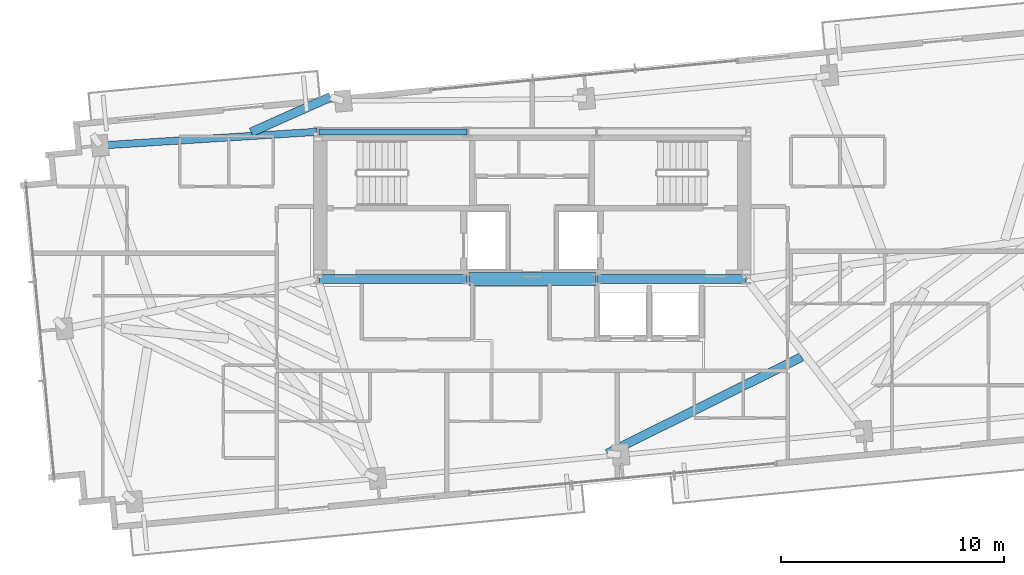
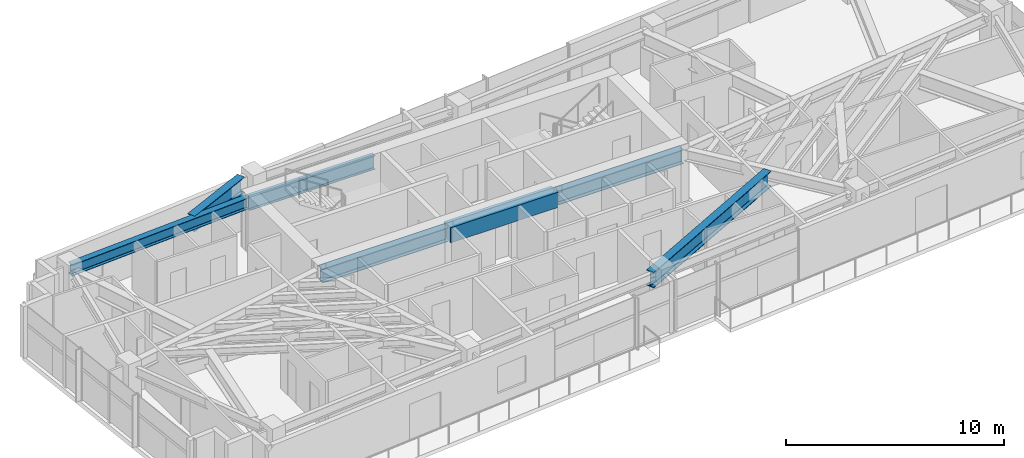
# One storey, part 5 of 18: 7 beams.
"""IFC4 building model written with IfcOpenShell, lengths in metres."""

import ifcopenshell
import ifcopenshell.guid

model = None  # the IFC model being written
_history = None  # IfcOwnerHistory: only IFC2X3 demands one
_inside = {}  # id of a spatial element -> (the spatial element, [elements in it])
_under = {}  # id of a project, library or spatial element -> (it, [spatial elements below it])
_declared = {}  # id of a project -> (the project, [libraries it declares])
_typed = {}  # id of a type object -> (the type object, [elements of that type])
_made_of = {}  # id of a material, layer set ... -> (it, [elements and type objects made of it])


def new_model(schema):
    """Start an empty IFC model of exactly this schema.

    Asked for "IFC4X3", IfcOpenShell would pick the latest addendum, in which some entities
    have other attributes; the version numbers below select the first issue.
    IFC2X3 requires an IfcOwnerHistory on every rooted entity: one is made here for all.
    """
    global model, _history
    if schema == "IFC4X3":
        model = ifcopenshell.file(schema_version=(4, 3, 0, 0))
    else:
        model = ifcopenshell.file(schema=schema)
    _inside.clear()
    _under.clear()
    _declared.clear()
    _typed.clear()
    _made_of.clear()
    _history = None
    if model.schema == "IFC2X3":
        org = make("IfcOrganization", Name="unknown")
        user = make(
            "IfcPersonAndOrganization",
            ThePerson=make("IfcPerson", FamilyName="unknown"),
            TheOrganization=org,
        )
        app = make(
            "IfcApplication",
            ApplicationDeveloper=org,
            Version="unknown",
            ApplicationFullName="unknown",
            ApplicationIdentifier="unknown",
        )
        _history = make(
            "IfcOwnerHistory",
            OwningUser=user,
            OwningApplication=app,
            ChangeAction="ADDED",
            CreationDate=0,
        )
    return model


def make(cls, **values):
    """One entity of the class cls with the attributes given. An attribute that is None is left unset."""
    return model.create_entity(
        cls, **{name: value for name, value in values.items() if value is not None}
    )


def rooted(cls, **values):
    """An entity with a GlobalId (a new one), such as an element, a storey or a relation."""
    return make(cls, GlobalId=ifcopenshell.guid.new(), OwnerHistory=_history, **values)


def si_unit(unit_type, name, prefix=None):
    """IfcSIUnit, for example si_unit("LENGTHUNIT", "METRE", prefix="MILLI")."""
    return make("IfcSIUnit", UnitType=unit_type, Prefix=prefix, Name=name)


def assignment(units):
    """IfcUnitAssignment: the units of a project."""
    return None if units is None else make("IfcUnitAssignment", Units=units)


def point(xyz):
    """IfcCartesianPoint."""
    return None if xyz is None else make("IfcCartesianPoint", Coordinates=xyz)


def direction(xyz):
    """IfcDirection."""
    return None if xyz is None else make("IfcDirection", DirectionRatios=xyz)


def frame(location, z_axis=None, x_axis=None):
    """IfcAxis2Placement3D, a coordinate frame: its origin and axes. An axis left out is left unset."""
    return make(
        "IfcAxis2Placement3D",
        Location=point(location),
        Axis=direction(z_axis),
        RefDirection=direction(x_axis),
    )


def frame_2d(location, x_axis=None):
    """IfcAxis2Placement2D, a coordinate frame in the plane: its origin and x axis."""
    return make(
        "IfcAxis2Placement2D", Location=point(location), RefDirection=direction(x_axis)
    )


def origin():
    """The frame at (0, 0, 0) with its axes left unset."""
    return frame((0.0, 0.0, 0.0))


def origin_2d():
    """The frame at (0, 0) in the plane with its x axis left unset."""
    return frame_2d((0.0, 0.0))


def place(relative_to, where):
    """IfcLocalPlacement: puts the frame where relative to a parent placement (None: the world)."""
    return make(
        "IfcLocalPlacement", PlacementRelTo=relative_to, RelativePlacement=where
    )


def context(
    kind, dimensions, precision=None, world=None, true_north=None, identifier=None
):
    """IfcGeometricRepresentationContext, for example the 3D "Model" context."""
    return make(
        "IfcGeometricRepresentationContext",
        ContextIdentifier=identifier,
        ContextType=kind,
        CoordinateSpaceDimension=dimensions,
        Precision=precision,
        WorldCoordinateSystem=world,
        TrueNorth=true_north,
    )


def subcontext(parent, identifier, kind, view, scale=None):
    """IfcGeometricRepresentationSubContext, for example "Body" below "Model"."""
    return make(
        "IfcGeometricRepresentationSubContext",
        ContextIdentifier=identifier,
        ContextType=kind,
        ParentContext=parent,
        TargetScale=scale,
        TargetView=view,
    )


def project(units=None, contexts=None):
    """IfcProject with its units and contexts."""
    return rooted(
        "IfcProject",
        Name="project",
        RepresentationContexts=contexts,
        UnitsInContext=assignment(units),
    )


def spatial(cls, under=None, at=None, **own):
    """A site, building, storey or space (cls), placed at a placement, below another one or the project."""
    s = rooted(cls, ObjectPlacement=at, **own)
    if under is not None:
        _under.setdefault(under.id(), (under, []))[1].append(s)
    return s


def profile(cls, at=None, kind="AREA", **sizes):
    """A parametric profile (cls). Its sizes go by their IFC names, for example OverallWidth=200.0."""
    return make(cls, ProfileType=kind, Position=at, **sizes)


def rectangle(**sizes):
    """IfcRectangleProfileDef."""
    return profile("IfcRectangleProfileDef", **sizes)


def i_section(**sizes):
    """IfcIShapeProfileDef."""
    return profile("IfcIShapeProfileDef", **sizes)


def extrude(swept, where, along, depth):
    """IfcExtrudedAreaSolid: the profile swept, set in the frame where, extruded along a direction by depth."""
    return make(
        "IfcExtrudedAreaSolid",
        SweptArea=swept,
        Position=where,
        ExtrudedDirection=direction(along),
        Depth=depth,
    )


def shape(context_of_items, identifier, shape_type, items):
    """IfcShapeRepresentation: the items that make up one representation, for example the "Body"."""
    return make(
        "IfcShapeRepresentation",
        ContextOfItems=context_of_items,
        RepresentationIdentifier=identifier,
        RepresentationType=shape_type,
        Items=items,
    )


def source(mapping_origin, context_of_items, identifier, shape_type, items):
    """IfcRepresentationMap: a shape defined once, which mapped items show again and again."""
    return make(
        "IfcRepresentationMap",
        MappingOrigin=mapping_origin,
        MappedRepresentation=shape(context_of_items, identifier, shape_type, items),
    )


def transform(
    local_origin,
    x_axis=None,
    y_axis=None,
    z_axis=None,
    scale=None,
    scale2=None,
    scale3=None,
    uniform=True,
):
    """IfcCartesianTransformationOperator3D, or its non-uniform kind. x_axis, y_axis, z_axis: its Axis1, 2, 3."""
    if uniform:
        return make(
            "IfcCartesianTransformationOperator3D",
            Axis1=direction(x_axis),
            Axis2=direction(y_axis),
            LocalOrigin=point(local_origin),
            Scale=scale,
            Axis3=direction(z_axis),
        )
    return make(
        "IfcCartesianTransformationOperator3DnonUniform",
        Axis1=direction(x_axis),
        Axis2=direction(y_axis),
        LocalOrigin=point(local_origin),
        Scale=scale,
        Axis3=direction(z_axis),
        Scale2=scale2,
        Scale3=scale3,
    )


def mapped(mapping_source, mapping_target):
    """IfcMappedItem: shows the shape of a source again, moved by a transform."""
    return make(
        "IfcMappedItem", MappingSource=mapping_source, MappingTarget=mapping_target
    )


def material(Name=None, Category=None):
    """IfcMaterial."""
    return make("IfcMaterial", Name=Name, Category=Category)


def material_profile(
    of_material, cross_section, Name=None, Category=None, Priority=None
):
    """IfcMaterialProfile: a cross section and its material."""
    return make(
        "IfcMaterialProfile",
        Name=Name,
        Material=of_material,
        Profile=cross_section,
        Priority=Priority,
        Category=Category,
    )


def profile_set(profiles, Name=None, composite=None):
    """IfcMaterialProfileSet."""
    return make(
        "IfcMaterialProfileSet",
        Name=Name,
        MaterialProfiles=profiles,
        CompositeProfile=composite,
    )


def made_of(thing, what):
    """Note that an element or type object is made of a material, layer set ...; save() writes the relation."""
    if what is not None:
        _made_of.setdefault(what.id(), (what, []))[1].append(thing)
    return thing


def type_object(cls, material=None, **own):
    """A type object (cls), such as IfcWallType, which elements share."""
    return made_of(rooted(cls, **own), material)


def type_shapes(of_type, sources):
    """Give a type object the sources (RepresentationMaps) that its elements show as mapped items."""
    of_type.RepresentationMaps = sources


def element(
    cls,
    number,
    at=None,
    inside=None,
    cuts=None,
    type_object=None,
    material=None,
    context=None,
    identifier="Body",
    shape_type=None,
    held_by="IfcProductDefinitionShape",
    body=None,
    shapes=None,
    **own,
):
    """One element of the class cls, such as IfcWall. Its Tag is "e" and its number.

    at: its placement. inside: the storey or other place that contains it. cuts: it is an
    opening in that element (IfcRelVoidsElement). A single representation is given by context,
    identifier, shape_type and body (its items); several are given by shapes. held_by: the class
    of the entity that holds the representations. save() writes the other relations.
    """
    e = rooted(cls, Tag="e%d" % number, ObjectPlacement=at, **own)
    if body is not None:
        shapes = [shape(context, identifier, shape_type, body)]
    if shapes is not None:
        e.Representation = make(held_by, Representations=shapes)
    if inside is not None:
        _inside.setdefault(inside.id(), (inside, []))[1].append(e)
    if cuts is not None:
        rooted(
            "IfcRelVoidsElement", RelatingBuildingElement=cuts, RelatedOpeningElement=e
        )
    if type_object is not None:
        _typed.setdefault(type_object.id(), (type_object, []))[1].append(e)
    return made_of(e, material)


def aggregate(whole, parts):
    """IfcRelAggregates: a whole, such as a stair, and the parts it consists of."""
    return rooted("IfcRelAggregates", RelatingObject=whole, RelatedObjects=parts)


def save(model, path):
    """Write the relations noted so far, then the file.

    IfcRelAggregates (storeys below a building ...), IfcRelContainedInSpatialStructure (elements
    in a storey), IfcRelDefinesByType, IfcRelAssociatesMaterial and IfcRelDeclares: one each for
    every whole, place, type object, material and project.
    """
    for whole, parts in _under.values():
        aggregate(whole, parts)
    for where, things in _inside.values():
        rooted(
            "IfcRelContainedInSpatialStructure",
            RelatedElements=things,
            RelatingStructure=where,
        )
    for kind, things in _typed.values():
        rooted("IfcRelDefinesByType", RelatedObjects=things, RelatingType=kind)
    for what, things in _made_of.values():
        rooted("IfcRelAssociatesMaterial", RelatedObjects=things, RelatingMaterial=what)
    for by, libraries in _declared.values():
        rooted("IfcRelDeclares", RelatingContext=by, RelatedDefinitions=libraries)
    model.write(path)


model = new_model("IFC4")

# Units and contexts
model_context = context("Model", 3, precision=1e-05, world=origin(), true_north=direction((0.0, 1.0)))
body_context = subcontext(model_context, "Body", "Model", "MODEL_VIEW")
ifc_project = project(units=[si_unit("LENGTHUNIT", "METRE"), si_unit("AREAUNIT", "SQUARE_METRE"), si_unit("VOLUMEUNIT", "CUBIC_METRE"), si_unit("PLANEANGLEUNIT", "RADIAN"), si_unit("MASSUNIT", "GRAM", prefix="KILO")], contexts=[model_context])

# Site, building, storey
site_placement = place(None, origin())
site = spatial("IfcSite", under=ifc_project, at=site_placement, CompositionType="ELEMENT")
building_placement = place(site_placement, origin())
building = spatial("IfcBuilding", under=site, at=building_placement, Name="Astriad Promenade Condominiums", CompositionType="ELEMENT")
storey_placement = place(building_placement, frame((0.0, 0.0, 208.199951171875)))
storey = spatial("IfcBuildingStorey", under=building, at=storey_placement, Name="L60", CompositionType="ELEMENT", Elevation=208.199951171875)

# Beams
ifc_material_1 = material(Name="Steel ASTM A992 Grade 50", Category="steel")
ifc_material_profile_1 = material_profile(ifc_material_1, i_section(OverallWidth=0.3837890625, OverallDepth=0.785888671875, WebThickness=0.019775390625, FlangeThickness=0.033447265625, FilletRadius=0.021484375, at=origin_2d()), Name="W30X211")
ifc_profile_set_1 = profile_set([ifc_material_profile_1], Name="Steel ASTM A992 Grade 50")
beam_type_1 = type_object("IfcBeamType", Name="STEEL FLOOR GIRDER W30X211", PredefinedType="BEAM", material=ifc_profile_set_1)
shared_shape_1 = source(origin(), body_context, "Body", "SweptSolid", [
    extrude(i_section(OverallWidth=0.3837890625, OverallDepth=0.785888671875, WebThickness=0.019775390625, FlangeThickness=0.033447265625, FilletRadius=0.021484375, at=origin_2d()), origin(), (0.0, 0.0, 1.0), 6.64013671875),
])
type_shapes(beam_type_1, [shared_shape_1])
for number, where, z_axis, x_axis, name in (
    (1, (26.43994140625, 17.39990234375, 2.507080078125), (1.0, 0.0, 0.0), (0.0, 1.0, 0.0), "Core Ring Beam CG-S1-L60"),
    (2, (38.919921875, 17.39990234375, 2.507080078125), (1.0, 0.0, 0.0), (0.0, 1.0, 0.0), "Core Ring Beam CG-S3-L60"),
):
    element("IfcBeam", number, at=place(storey_placement, frame(where, z_axis=z_axis, x_axis=x_axis)), inside=storey, type_object=beam_type_1, Name=name, PredefinedType="BEAM", context=body_context, shape_type="MappedRepresentation", body=[
        mapped(shared_shape_1, transform((0.0, 0.0, 0.0), scale=1.0)),
    ])
ifc_material_profile_2 = material_profile(ifc_material_1, i_section(OverallWidth=0.267822265625, OverallDepth=0.76953125, WebThickness=0.015625, FlangeThickness=0.025390625, FilletRadius=0.021484375, at=origin_2d()), Name="W30X132")
ifc_profile_set_2 = profile_set([ifc_material_profile_2], Name="Steel ASTM A992 Grade 50")
beam_type_2 = type_object("IfcBeamType", Name="STEEL FLOOR GIRDER W30X132", PredefinedType="BEAM", material=ifc_profile_set_2)
shared_shape_2 = source(origin(), body_context, "Body", "SweptSolid", [
    extrude(i_section(OverallWidth=0.267822265625, OverallDepth=0.76953125, WebThickness=0.015625, FlangeThickness=0.025390625, FilletRadius=0.021484375, at=origin_2d()), origin(), (0.0, 0.0, 1.0), 6.64013671875),
])
type_shapes(beam_type_2, [shared_shape_2])
beam_1_placement = place(storey_placement, frame((26.43994140625, 24.0, 2.51513671875), z_axis=(1.0, 0.0, 0.0), x_axis=(0.0, 1.0, 0.0)))
element("IfcBeam", 3, at=beam_1_placement, inside=storey, type_object=beam_type_2, Name="Core Ring Beam CG-N1-L60", PredefinedType="BEAM", context=body_context, shape_type="MappedRepresentation", body=[
    mapped(shared_shape_2, transform((0.0, 0.0, 0.0), scale=1.0)),
])
ifc_material_2 = material(Name="Concrete C60/75", Category="concrete")
ifc_material_profile_3 = material_profile(ifc_material_2, rectangle(XDim=0.60009765625, YDim=0.85009765625, at=origin_2d()), Name="RC-BM-600X850")
ifc_profile_set_3 = profile_set([ifc_material_profile_3], Name="Concrete C60/75")
beam_type_3 = type_object("IfcBeamType", Name="CONCRETE CORE COUPLING LINTEL 600X850", PredefinedType="LINTEL", material=ifc_profile_set_3)
shared_shape_3 = source(origin(), body_context, "Body", "SweptSolid", [
    extrude(rectangle(XDim=0.60009765625, YDim=0.85009765625, at=origin_2d()), origin(), (0.0, 0.0, 1.0), 5.68017578125),
])
type_shapes(beam_type_3, [shared_shape_3])
beam_2_placement = place(storey_placement, frame((33.159912109375, 17.39990234375, 2.505126953125), z_axis=(1.0, 0.0, 0.0), x_axis=(0.0, 1.0, 0.0)))
element("IfcBeam", 4, at=beam_2_placement, inside=storey, type_object=beam_type_3, Name="Core Ring Beam CG-S2-L60", PredefinedType="LINTEL", context=body_context, shape_type="MappedRepresentation", body=[
    mapped(shared_shape_3, transform((0.0, 0.0, 0.0), scale=1.0)),
])
ifc_material_profile_4 = material_profile(ifc_material_1, i_section(OverallWidth=0.326416015625, OverallDepth=0.621826171875, WebThickness=0.015380859375, FlangeThickness=0.0244140625, FilletRadius=0.017822265625, at=origin_2d()), Name="W24X131")
ifc_profile_set_4 = profile_set([ifc_material_profile_4], Name="Steel ASTM A992 Grade 50")
beam_type_4 = type_object("IfcBeamType", Name="STEEL FLOOR GIRDER W24X131", PredefinedType="BEAM", material=ifc_profile_set_4)
shared_shape_4 = source(origin(), body_context, "Body", "SweptSolid", [
    extrude(i_section(OverallWidth=0.326416015625, OverallDepth=0.621826171875, WebThickness=0.015380859375, FlangeThickness=0.0244140625, FilletRadius=0.017822265625, at=origin_2d()), origin(), (0.0, 0.0, 1.0), 9.707275390625),
])
type_shapes(beam_type_4, [shared_shape_4])
beam_3_placement = place(storey_placement, frame((16.672119140625, 23.38671875, 2.589111328125), z_axis=(0.998018176507, 0.062926301034, 0.0), x_axis=(-0.062926301034, 0.998018176507, 0.0)))
element("IfcBeam", 5, at=beam_3_placement, inside=storey, type_object=beam_type_4, Name="Primary Floor Girder PG-NW-L60", PredefinedType="BEAM", context=body_context, shape_type="MappedRepresentation", body=[
    mapped(shared_shape_4, transform((0.0, 0.0, 0.0), scale=1.0)),
])
ifc_material_profile_5 = material_profile(ifc_material_1, i_section(OverallWidth=0.4013671875, OverallDepth=0.877197265625, WebThickness=0.022216796875, FlangeThickness=0.039794921875, FilletRadius=0.02294921875, at=origin_2d()), Name="W33X263")
ifc_profile_set_5 = profile_set([ifc_material_profile_5], Name="Steel ASTM A992 Grade 50")
beam_type_5 = type_object("IfcBeamType", Name="STEEL TRANSFER CARRIER GIRDER W33X263", PredefinedType="BEAM", material=ifc_profile_set_5)
shared_shape_5 = source(origin(), body_context, "Body", "SweptSolid", [
    extrude(i_section(OverallWidth=0.4013671875, OverallDepth=0.877197265625, WebThickness=0.022216796875, FlangeThickness=0.039794921875, FilletRadius=0.02294921875, at=origin_2d()), origin(), (0.0, 0.0, 1.0), 9.72216796875),
])
beam_4_placement = place(storey_placement, frame((48.076171875, 13.90478515625, 2.461669921875), z_axis=(-0.895479390561, -0.445102978062, 0.0), x_axis=(0.445102978062, -0.895479390561, 0.0)))
element("IfcBeam", 6, at=beam_4_placement, inside=storey, type_object=beam_type_5, Name="Transfer Splice Carrier TRM-SP-PC03-L60", PredefinedType="BEAM", context=body_context, shape_type="MappedRepresentation", body=[
    mapped(shared_shape_5, transform((0.0, 0.0, 0.0), scale=1.0)),
])
shared_shape_6 = source(origin(), body_context, "Body", "SweptSolid", [
    extrude(i_section(OverallWidth=0.4013671875, OverallDepth=0.877197265625, WebThickness=0.022216796875, FlangeThickness=0.039794921875, FilletRadius=0.02294921875, at=origin_2d()), origin(), (0.0, 0.0, 1.0), 3.88623046875),
])
type_shapes(beam_type_5, [shared_shape_5, shared_shape_6])
beam_5_placement = place(storey_placement, frame((23.40673828125, 23.978271484375, 2.461669921875), z_axis=(0.913637891772, 0.406528969102, 0.0), x_axis=(-0.406528969102, 0.913637891772, 0.0)))
element("IfcBeam", 7, at=beam_5_placement, inside=storey, type_object=beam_type_5, Name="Transfer Splice Carrier TRM-SP-PC07-L60", PredefinedType="BEAM", context=body_context, shape_type="MappedRepresentation", body=[
    mapped(shared_shape_6, transform((0.0, 0.0, 0.0), scale=1.0)),
])

save(model, "model.ifc")
